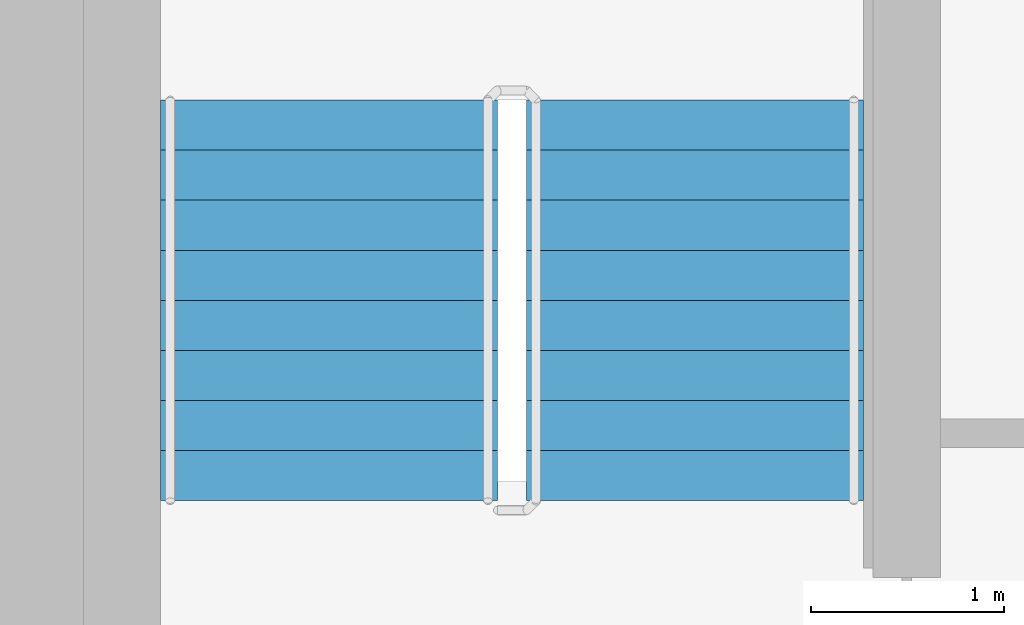
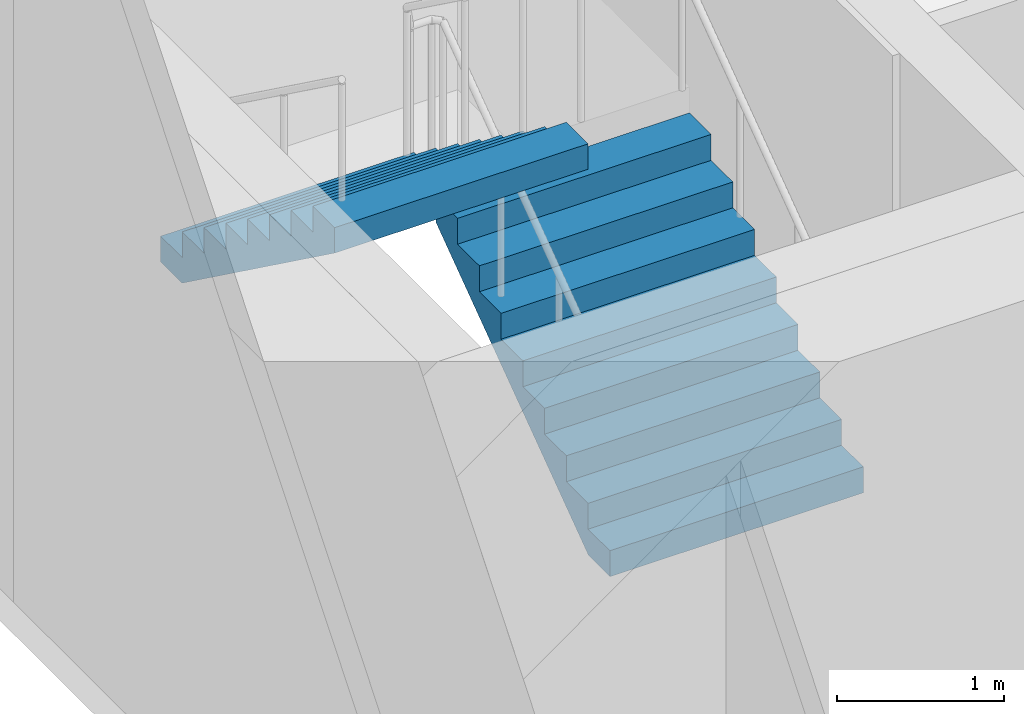
# One storey, part 15 of 18: 2 stair flights, 1 element without a shape of its own.
"""IFC4 building model written with IfcOpenShell, lengths in metres."""

from ifc_helpers import new_model, si_unit, direction, frame, origin, place, context, subcontext, project, spatial, faceted_brep, material, type_object, element, aggregate, save


model = new_model("IFC4")

# Units and contexts
model_context = context("Model", 3, precision=1e-05, world=origin(), true_north=direction((0.0, 1.0)))
body_context = subcontext(model_context, "Body", "Model", "MODEL_VIEW")
ifc_project = project(units=[si_unit("LENGTHUNIT", "METRE"), si_unit("AREAUNIT", "SQUARE_METRE"), si_unit("VOLUMEUNIT", "CUBIC_METRE"), si_unit("PLANEANGLEUNIT", "RADIAN"), si_unit("MASSUNIT", "GRAM", prefix="KILO")], contexts=[model_context])

# Site, building, storey
site_placement = place(None, origin())
site = spatial("IfcSite", under=ifc_project, at=site_placement, CompositionType="ELEMENT")
building_placement = place(site_placement, origin())
building = spatial("IfcBuilding", under=site, at=building_placement, Name="Ipe Terrace Towers", CompositionType="ELEMENT")
storey_placement = place(building_placement, frame((0.0, 0.0, 177.89990234375)))
storey = spatial("IfcBuildingStorey", under=building, at=storey_placement, Name="L49", CompositionType="ELEMENT", Elevation=177.89990234375)

# Stair, stair flights
ifc_material_1 = material(Name="Concrete C30/37", Category="concrete")
stair_type = type_object("IfcStairType", Name="Protected exit stair", PredefinedType="HALF_TURN_STAIR", material=ifc_material_1)
stair_placement = place(storey_placement, origin())
stair = element("IfcStair", 1, at=stair_placement, inside=storey, type_object=stair_type, Name="L49 Exit stair T2-C1", PredefinedType="HALF_TURN_STAIR")
ifc_material_2 = material(Name="Concrete C30/37", Category="concrete")
stair_flight_type = type_object("IfcStairFlightType", Name="Exit stair flight 1750", PredefinedType="STRAIGHT", material=ifc_material_2)
stair_flight_1_placement = place(storey_placement, frame((33.22509765625, 9.699951171875, 0.0), z_axis=(0.0, 0.0, 1.0), x_axis=(0.0, 1.0, 0.0)))
stair_flight_1 = element("IfcStairFlight", 2, at=stair_flight_1_placement, type_object=stair_flight_type, Name="T2-ST1 flight 1", NumberOfRisers=9, NumberOfTreads=8, PredefinedType="STRAIGHT", RiserHeight=0.188888889, TreadLength=0.26, context=body_context, shape_type="Brep", body=[
    faceted_brep([(0.255126953125, -0.875, 0.0), (2.080078125, -0.875, 1.325927734375), (2.080078125, -0.875, 1.51123046875), (1.820068359375, -0.875, 1.51123046875), (1.820068359375, -0.875, 1.322265625), (1.56005859375, -0.875, 1.322265625), (1.56005859375, -0.875, 1.13330078125), (1.300048828125, -0.875, 1.13330078125), (1.300048828125, -0.875, 0.9443359375), (1.0400390625, -0.875, 0.9443359375), (1.0400390625, -0.875, 0.755615234375), (0.780029296875, -0.875, 0.755615234375), (0.780029296875, -0.875, 0.566650390625), (0.52001953125, -0.875, 0.566650390625), (0.52001953125, -0.875, 0.377685546875), (0.260009765625, -0.875, 0.377685546875), (0.260009765625, -0.875, 0.18896484375), (0.0, -0.875, 0.18896484375), (0.0, -0.875, 0.0), (0.0, 0.875, 0.0), (0.0, 0.875, 0.18896484375), (0.260009765625, 0.875, 0.18896484375), (0.260009765625, 0.875, 0.377685546875), (0.52001953125, 0.875, 0.377685546875), (0.52001953125, 0.875, 0.566650390625), (0.780029296875, 0.875, 0.566650390625), (0.780029296875, 0.875, 0.755615234375), (1.0400390625, 0.875, 0.755615234375), (1.0400390625, 0.875, 0.9443359375), (1.300048828125, 0.875, 0.9443359375), (1.300048828125, 0.875, 1.13330078125), (1.56005859375, 0.875, 1.13330078125), (1.56005859375, 0.875, 1.322265625), (1.820068359375, 0.875, 1.322265625), (1.820068359375, 0.875, 1.51123046875), (2.080078125, 0.875, 1.51123046875), (2.080078125, 0.875, 1.325927734375), (0.255126953125, 0.875, 0.0), (0.0, -0.300048828125, 0.18896484375), (0.0, -0.1201171875, 0.18896484375), (0.0, -0.06005859375, 0.18896484375), (0.0, -0.030029296875, 0.18896484375), (0.0, -0.010009765625, 0.18896484375), (0.0, 0.0, 0.18896484375), (0.0, 0.010009765625, 0.18896484375), (0.0, 0.030029296875, 0.18896484375), (0.0, 0.06005859375, 0.18896484375), (0.0, 0.1201171875, 0.18896484375), (0.0, 0.300048828125, 0.18896484375), (0.0, 0.300048828125, 0.0), (0.0, 0.1201171875, 0.0), (0.0, 0.06005859375, 0.0), (0.0, 0.030029296875, 0.0), (0.0, 0.010009765625, 0.0), (0.0, 0.0, 0.0), (0.0, -0.010009765625, 0.0), (0.0, -0.030029296875, 0.0), (0.0, -0.06005859375, 0.0), (0.0, -0.1201171875, 0.0), (0.0, -0.300048828125, 0.0), (0.260009765625, -0.300048828125, 0.18896484375), (0.260009765625, -0.1201171875, 0.18896484375), (0.260009765625, -0.06005859375, 0.18896484375), (0.260009765625, -0.030029296875, 0.18896484375), (0.260009765625, -0.010009765625, 0.18896484375), (0.260009765625, 0.0, 0.18896484375), (0.260009765625, 0.010009765625, 0.18896484375), (0.260009765625, 0.030029296875, 0.18896484375), (0.260009765625, 0.06005859375, 0.18896484375), (0.260009765625, 0.1201171875, 0.18896484375), (0.260009765625, 0.300048828125, 0.18896484375), (0.260009765625, -0.300048828125, 0.377685546875), (0.260009765625, -0.1201171875, 0.377685546875), (0.260009765625, -0.06005859375, 0.377685546875), (0.260009765625, -0.030029296875, 0.377685546875), (0.260009765625, -0.010009765625, 0.377685546875), (0.260009765625, 0.0, 0.377685546875), (0.260009765625, 0.010009765625, 0.377685546875), (0.260009765625, 0.030029296875, 0.377685546875), (0.260009765625, 0.06005859375, 0.377685546875), (0.260009765625, 0.1201171875, 0.377685546875), (0.260009765625, 0.300048828125, 0.377685546875), (0.52001953125, -0.300048828125, 0.377685546875), (0.52001953125, -0.1201171875, 0.377685546875), (0.52001953125, -0.06005859375, 0.377685546875), (0.52001953125, -0.030029296875, 0.377685546875), (0.52001953125, -0.010009765625, 0.377685546875), (0.52001953125, 0.0, 0.377685546875), (0.52001953125, 0.010009765625, 0.377685546875), (0.52001953125, 0.030029296875, 0.377685546875), (0.52001953125, 0.06005859375, 0.377685546875), (0.52001953125, 0.1201171875, 0.377685546875), (0.52001953125, 0.300048828125, 0.377685546875), (0.52001953125, -0.300048828125, 0.566650390625), (0.52001953125, -0.1201171875, 0.566650390625), (0.52001953125, -0.06005859375, 0.566650390625), (0.52001953125, -0.030029296875, 0.566650390625), (0.52001953125, -0.010009765625, 0.566650390625), (0.52001953125, 0.0, 0.566650390625), (0.52001953125, 0.010009765625, 0.566650390625), (0.52001953125, 0.030029296875, 0.566650390625), (0.52001953125, 0.06005859375, 0.566650390625), (0.52001953125, 0.1201171875, 0.566650390625), (0.52001953125, 0.300048828125, 0.566650390625), (0.780029296875, -0.300048828125, 0.566650390625), (0.780029296875, -0.1201171875, 0.566650390625), (0.780029296875, -0.06005859375, 0.566650390625), (0.780029296875, -0.030029296875, 0.566650390625), (0.780029296875, -0.010009765625, 0.566650390625), (0.780029296875, 0.0, 0.566650390625), (0.780029296875, 0.010009765625, 0.566650390625), (0.780029296875, 0.030029296875, 0.566650390625), (0.780029296875, 0.06005859375, 0.566650390625), (0.780029296875, 0.1201171875, 0.566650390625), (0.780029296875, 0.300048828125, 0.566650390625), (0.780029296875, -0.300048828125, 0.755615234375), (0.780029296875, -0.1201171875, 0.755615234375), (0.780029296875, -0.06005859375, 0.755615234375), (0.780029296875, -0.030029296875, 0.755615234375), (0.780029296875, -0.010009765625, 0.755615234375), (0.780029296875, 0.0, 0.755615234375), (0.780029296875, 0.010009765625, 0.755615234375), (0.780029296875, 0.030029296875, 0.755615234375), (0.780029296875, 0.06005859375, 0.755615234375), (0.780029296875, 0.1201171875, 0.755615234375), (0.780029296875, 0.300048828125, 0.755615234375), (1.0400390625, -0.300048828125, 0.755615234375), (1.0400390625, -0.1201171875, 0.755615234375), (1.0400390625, -0.06005859375, 0.755615234375), (1.0400390625, -0.030029296875, 0.755615234375), (1.0400390625, -0.010009765625, 0.755615234375), (1.0400390625, 0.0, 0.755615234375), (1.0400390625, 0.010009765625, 0.755615234375), (1.0400390625, 0.030029296875, 0.755615234375), (1.0400390625, 0.06005859375, 0.755615234375), (1.0400390625, 0.1201171875, 0.755615234375), (1.0400390625, 0.300048828125, 0.755615234375), (1.0400390625, -0.300048828125, 0.9443359375), (1.0400390625, -0.1201171875, 0.9443359375), (1.0400390625, -0.06005859375, 0.9443359375), (1.0400390625, -0.030029296875, 0.9443359375), (1.0400390625, -0.010009765625, 0.9443359375), (1.0400390625, 0.0, 0.9443359375), (1.0400390625, 0.010009765625, 0.9443359375), (1.0400390625, 0.030029296875, 0.9443359375), (1.0400390625, 0.06005859375, 0.9443359375), (1.0400390625, 0.1201171875, 0.9443359375), (1.0400390625, 0.300048828125, 0.9443359375), (1.300048828125, -0.300048828125, 0.9443359375), (1.300048828125, -0.1201171875, 0.9443359375), (1.300048828125, -0.06005859375, 0.9443359375), (1.300048828125, -0.030029296875, 0.9443359375), (1.300048828125, -0.010009765625, 0.9443359375), (1.300048828125, 0.0, 0.9443359375), (1.300048828125, 0.010009765625, 0.9443359375), (1.300048828125, 0.030029296875, 0.9443359375), (1.300048828125, 0.06005859375, 0.9443359375), (1.300048828125, 0.1201171875, 0.9443359375), (1.300048828125, 0.300048828125, 0.9443359375), (1.300048828125, -0.300048828125, 1.13330078125), (1.300048828125, -0.1201171875, 1.13330078125), (1.300048828125, -0.06005859375, 1.13330078125), (1.300048828125, -0.030029296875, 1.13330078125), (1.300048828125, -0.010009765625, 1.13330078125), (1.300048828125, 0.0, 1.13330078125), (1.300048828125, 0.010009765625, 1.13330078125), (1.300048828125, 0.030029296875, 1.13330078125), (1.300048828125, 0.06005859375, 1.13330078125), (1.300048828125, 0.1201171875, 1.13330078125), (1.300048828125, 0.300048828125, 1.13330078125), (1.56005859375, -0.300048828125, 1.13330078125), (1.56005859375, -0.1201171875, 1.13330078125), (1.56005859375, -0.06005859375, 1.13330078125), (1.56005859375, -0.030029296875, 1.13330078125), (1.56005859375, -0.010009765625, 1.13330078125), (1.56005859375, 0.0, 1.13330078125), (1.56005859375, 0.010009765625, 1.13330078125), (1.56005859375, 0.030029296875, 1.13330078125), (1.56005859375, 0.06005859375, 1.13330078125), (1.56005859375, 0.1201171875, 1.13330078125), (1.56005859375, 0.300048828125, 1.13330078125), (1.56005859375, -0.300048828125, 1.322265625), (1.56005859375, -0.1201171875, 1.322265625), (1.56005859375, -0.06005859375, 1.322265625), (1.56005859375, -0.030029296875, 1.322265625), (1.56005859375, -0.010009765625, 1.322265625), (1.56005859375, 0.0, 1.322265625), (1.56005859375, 0.010009765625, 1.322265625), (1.56005859375, 0.030029296875, 1.322265625), (1.56005859375, 0.06005859375, 1.322265625), (1.56005859375, 0.1201171875, 1.322265625), (1.56005859375, 0.300048828125, 1.322265625), (1.820068359375, -0.300048828125, 1.322265625), (1.820068359375, -0.1201171875, 1.322265625), (1.820068359375, -0.06005859375, 1.322265625), (1.820068359375, -0.030029296875, 1.322265625), (1.820068359375, -0.010009765625, 1.322265625), (1.820068359375, 0.0, 1.322265625), (1.820068359375, 0.010009765625, 1.322265625), (1.820068359375, 0.030029296875, 1.322265625), (1.820068359375, 0.06005859375, 1.322265625), (1.820068359375, 0.1201171875, 1.322265625), (1.820068359375, 0.300048828125, 1.322265625), (1.820068359375, -0.300048828125, 1.51123046875), (1.820068359375, -0.1201171875, 1.51123046875), (1.820068359375, -0.06005859375, 1.51123046875), (1.820068359375, -0.030029296875, 1.51123046875), (1.820068359375, -0.010009765625, 1.51123046875), (1.820068359375, 0.0, 1.51123046875), (1.820068359375, 0.010009765625, 1.51123046875), (1.820068359375, 0.030029296875, 1.51123046875), (1.820068359375, 0.06005859375, 1.51123046875), (1.820068359375, 0.1201171875, 1.51123046875), (1.820068359375, 0.300048828125, 1.51123046875), (2.080078125, -0.300048828125, 1.51123046875), (2.080078125, -0.1201171875, 1.51123046875), (2.080078125, -0.06005859375, 1.51123046875), (2.080078125, -0.030029296875, 1.51123046875), (2.080078125, -0.010009765625, 1.51123046875), (2.080078125, 0.0, 1.51123046875), (2.080078125, 0.010009765625, 1.51123046875), (2.080078125, 0.030029296875, 1.51123046875), (2.080078125, 0.06005859375, 1.51123046875), (2.080078125, 0.1201171875, 1.51123046875), (2.080078125, 0.300048828125, 1.51123046875), (2.080078125, -0.300048828125, 1.325927734375), (2.080078125, -0.1201171875, 1.325927734375), (2.080078125, -0.06005859375, 1.325927734375), (2.080078125, -0.030029296875, 1.325927734375), (2.080078125, -0.010009765625, 1.325927734375), (2.080078125, 0.0, 1.325927734375), (2.080078125, 0.010009765625, 1.325927734375), (2.080078125, 0.030029296875, 1.325927734375), (2.080078125, 0.06005859375, 1.325927734375), (2.080078125, 0.1201171875, 1.325927734375), (2.080078125, 0.300048828125, 1.325927734375), (0.255126953125, -0.300048828125, 0.0), (0.255126953125, -0.1201171875, 0.0), (0.255126953125, -0.06005859375, 0.0), (0.255126953125, -0.030029296875, 0.0), (0.255126953125, -0.010009765625, 0.0), (0.255126953125, 0.0, 0.0), (0.255126953125, 0.010009765625, 0.0), (0.255126953125, 0.030029296875, 0.0), (0.255126953125, 0.06005859375, 0.0), (0.255126953125, 0.1201171875, 0.0), (0.255126953125, 0.300048828125, 0.0)], [[[0, 1, 2, 3, 4, 5, 6, 7, 8, 9, 10, 11, 12, 13, 14, 15, 16, 17, 18]], [[19, 20, 21, 22, 23, 24, 25, 26, 27, 28, 29, 30, 31, 32, 33, 34, 35, 36, 37]], [[17, 38, 39, 40, 41, 42, 43, 44, 45, 46, 47, 48, 20, 19, 49, 50, 51, 52, 53, 54, 55, 56, 57, 58, 59, 18]], [[16, 60, 61, 62, 63, 64, 65, 66, 67, 68, 69, 70, 21, 20, 48, 47, 46, 45, 44, 43, 42, 41, 40, 39, 38, 17]], [[15, 71, 72, 73, 74, 75, 76, 77, 78, 79, 80, 81, 22, 21, 70, 69, 68, 67, 66, 65, 64, 63, 62, 61, 60, 16]], [[14, 82, 83, 84, 85, 86, 87, 88, 89, 90, 91, 92, 23, 22, 81, 80, 79, 78, 77, 76, 75, 74, 73, 72, 71, 15]], [[13, 93, 94, 95, 96, 97, 98, 99, 100, 101, 102, 103, 24, 23, 92, 91, 90, 89, 88, 87, 86, 85, 84, 83, 82, 14]], [[12, 104, 105, 106, 107, 108, 109, 110, 111, 112, 113, 114, 25, 24, 103, 102, 101, 100, 99, 98, 97, 96, 95, 94, 93, 13]], [[11, 115, 116, 117, 118, 119, 120, 121, 122, 123, 124, 125, 26, 25, 114, 113, 112, 111, 110, 109, 108, 107, 106, 105, 104, 12]], [[10, 126, 127, 128, 129, 130, 131, 132, 133, 134, 135, 136, 27, 26, 125, 124, 123, 122, 121, 120, 119, 118, 117, 116, 115, 11]], [[9, 137, 138, 139, 140, 141, 142, 143, 144, 145, 146, 147, 28, 27, 136, 135, 134, 133, 132, 131, 130, 129, 128, 127, 126, 10]], [[8, 148, 149, 150, 151, 152, 153, 154, 155, 156, 157, 158, 29, 28, 147, 146, 145, 144, 143, 142, 141, 140, 139, 138, 137, 9]], [[7, 159, 160, 161, 162, 163, 164, 165, 166, 167, 168, 169, 30, 29, 158, 157, 156, 155, 154, 153, 152, 151, 150, 149, 148, 8]], [[6, 170, 171, 172, 173, 174, 175, 176, 177, 178, 179, 180, 31, 30, 169, 168, 167, 166, 165, 164, 163, 162, 161, 160, 159, 7]], [[5, 181, 182, 183, 184, 185, 186, 187, 188, 189, 190, 191, 32, 31, 180, 179, 178, 177, 176, 175, 174, 173, 172, 171, 170, 6]], [[4, 192, 193, 194, 195, 196, 197, 198, 199, 200, 201, 202, 33, 32, 191, 190, 189, 188, 187, 186, 185, 184, 183, 182, 181, 5]], [[3, 203, 204, 205, 206, 207, 208, 209, 210, 211, 212, 213, 34, 33, 202, 201, 200, 199, 198, 197, 196, 195, 194, 193, 192, 4]], [[2, 214, 215, 216, 217, 218, 219, 220, 221, 222, 223, 224, 35, 34, 213, 212, 211, 210, 209, 208, 207, 206, 205, 204, 203, 3]], [[1, 225, 226, 227, 228, 229, 230, 231, 232, 233, 234, 235, 36, 35, 224, 223, 222, 221, 220, 219, 218, 217, 216, 215, 214, 2]], [[0, 236, 237, 238, 239, 240, 241, 242, 243, 244, 245, 246, 37, 36, 235, 234, 233, 232, 231, 230, 229, 228, 227, 226, 225, 1]], [[18, 59, 58, 57, 56, 55, 54, 53, 52, 51, 50, 49, 19, 37, 246, 245, 244, 243, 242, 241, 240, 239, 238, 237, 236, 0]]]),
])
stair_flight_2_placement = place(storey_placement, frame((31.324951171875, 11.780029296875, 1.7001953125), z_axis=(0.0, 0.0, 1.0), x_axis=(0.0, -1.0, 0.0)))
stair_flight_2 = element("IfcStairFlight", 3, at=stair_flight_2_placement, type_object=stair_flight_type, Name="T2-ST1 flight 2", NumberOfRisers=9, NumberOfTreads=8, PredefinedType="STRAIGHT", RiserHeight=0.188888889, TreadLength=0.26, context=body_context, shape_type="Brep", body=[
    faceted_brep([(0.255126953125, -0.875, 0.0), (2.080078125, -0.875, 1.325927734375), (2.080078125, -0.875, 1.51123046875), (1.820068359375, -0.875, 1.51123046875), (1.820068359375, -0.875, 1.322265625), (1.56005859375, -0.875, 1.322265625), (1.56005859375, -0.875, 1.13330078125), (1.300048828125, -0.875, 1.13330078125), (1.300048828125, -0.875, 0.9443359375), (1.0400390625, -0.875, 0.9443359375), (1.0400390625, -0.875, 0.755615234375), (0.780029296875, -0.875, 0.755615234375), (0.780029296875, -0.875, 0.566650390625), (0.52001953125, -0.875, 0.566650390625), (0.52001953125, -0.875, 0.377685546875), (0.260009765625, -0.875, 0.377685546875), (0.260009765625, -0.875, 0.18896484375), (0.0, -0.875, 0.18896484375), (0.0, -0.875, 0.0), (0.0, 0.875, 0.0), (0.0, 0.875, 0.18896484375), (0.260009765625, 0.875, 0.18896484375), (0.260009765625, 0.875, 0.377685546875), (0.52001953125, 0.875, 0.377685546875), (0.52001953125, 0.875, 0.566650390625), (0.780029296875, 0.875, 0.566650390625), (0.780029296875, 0.875, 0.755615234375), (1.0400390625, 0.875, 0.755615234375), (1.0400390625, 0.875, 0.9443359375), (1.300048828125, 0.875, 0.9443359375), (1.300048828125, 0.875, 1.13330078125), (1.56005859375, 0.875, 1.13330078125), (1.56005859375, 0.875, 1.322265625), (1.820068359375, 0.875, 1.322265625), (1.820068359375, 0.875, 1.51123046875), (2.080078125, 0.875, 1.51123046875), (2.080078125, 0.875, 1.325927734375), (0.255126953125, 0.875, 0.0), (0.0, -0.300048828125, 0.18896484375), (0.0, -0.1201171875, 0.18896484375), (0.0, -0.06005859375, 0.18896484375), (0.0, -0.030029296875, 0.18896484375), (0.0, -0.010009765625, 0.18896484375), (0.0, 0.0, 0.18896484375), (0.0, 0.010009765625, 0.18896484375), (0.0, 0.030029296875, 0.18896484375), (0.0, 0.06005859375, 0.18896484375), (0.0, 0.1201171875, 0.18896484375), (0.0, 0.300048828125, 0.18896484375), (0.0, 0.300048828125, 0.0), (0.0, 0.1201171875, 0.0), (0.0, 0.06005859375, 0.0), (0.0, 0.030029296875, 0.0), (0.0, 0.010009765625, 0.0), (0.0, 0.0, 0.0), (0.0, -0.010009765625, 0.0), (0.0, -0.030029296875, 0.0), (0.0, -0.06005859375, 0.0), (0.0, -0.1201171875, 0.0), (0.0, -0.300048828125, 0.0), (0.260009765625, -0.300048828125, 0.18896484375), (0.260009765625, -0.1201171875, 0.18896484375), (0.260009765625, -0.06005859375, 0.18896484375), (0.260009765625, -0.030029296875, 0.18896484375), (0.260009765625, -0.010009765625, 0.18896484375), (0.260009765625, 0.0, 0.18896484375), (0.260009765625, 0.010009765625, 0.18896484375), (0.260009765625, 0.030029296875, 0.18896484375), (0.260009765625, 0.06005859375, 0.18896484375), (0.260009765625, 0.1201171875, 0.18896484375), (0.260009765625, 0.300048828125, 0.18896484375), (0.260009765625, -0.300048828125, 0.377685546875), (0.260009765625, -0.1201171875, 0.377685546875), (0.260009765625, -0.06005859375, 0.377685546875), (0.260009765625, -0.030029296875, 0.377685546875), (0.260009765625, -0.010009765625, 0.377685546875), (0.260009765625, 0.0, 0.377685546875), (0.260009765625, 0.010009765625, 0.377685546875), (0.260009765625, 0.030029296875, 0.377685546875), (0.260009765625, 0.06005859375, 0.377685546875), (0.260009765625, 0.1201171875, 0.377685546875), (0.260009765625, 0.300048828125, 0.377685546875), (0.52001953125, -0.300048828125, 0.377685546875), (0.52001953125, -0.1201171875, 0.377685546875), (0.52001953125, -0.06005859375, 0.377685546875), (0.52001953125, -0.030029296875, 0.377685546875), (0.52001953125, -0.010009765625, 0.377685546875), (0.52001953125, 0.0, 0.377685546875), (0.52001953125, 0.010009765625, 0.377685546875), (0.52001953125, 0.030029296875, 0.377685546875), (0.52001953125, 0.06005859375, 0.377685546875), (0.52001953125, 0.1201171875, 0.377685546875), (0.52001953125, 0.300048828125, 0.377685546875), (0.52001953125, -0.300048828125, 0.566650390625), (0.52001953125, -0.1201171875, 0.566650390625), (0.52001953125, -0.06005859375, 0.566650390625), (0.52001953125, -0.030029296875, 0.566650390625), (0.52001953125, -0.010009765625, 0.566650390625), (0.52001953125, 0.0, 0.566650390625), (0.52001953125, 0.010009765625, 0.566650390625), (0.52001953125, 0.030029296875, 0.566650390625), (0.52001953125, 0.06005859375, 0.566650390625), (0.52001953125, 0.1201171875, 0.566650390625), (0.52001953125, 0.300048828125, 0.566650390625), (0.780029296875, -0.300048828125, 0.566650390625), (0.780029296875, -0.1201171875, 0.566650390625), (0.780029296875, -0.06005859375, 0.566650390625), (0.780029296875, -0.030029296875, 0.566650390625), (0.780029296875, -0.010009765625, 0.566650390625), (0.780029296875, 0.0, 0.566650390625), (0.780029296875, 0.010009765625, 0.566650390625), (0.780029296875, 0.030029296875, 0.566650390625), (0.780029296875, 0.06005859375, 0.566650390625), (0.780029296875, 0.1201171875, 0.566650390625), (0.780029296875, 0.300048828125, 0.566650390625), (0.780029296875, -0.300048828125, 0.755615234375), (0.780029296875, -0.1201171875, 0.755615234375), (0.780029296875, -0.06005859375, 0.755615234375), (0.780029296875, -0.030029296875, 0.755615234375), (0.780029296875, -0.010009765625, 0.755615234375), (0.780029296875, 0.0, 0.755615234375), (0.780029296875, 0.010009765625, 0.755615234375), (0.780029296875, 0.030029296875, 0.755615234375), (0.780029296875, 0.06005859375, 0.755615234375), (0.780029296875, 0.1201171875, 0.755615234375), (0.780029296875, 0.300048828125, 0.755615234375), (1.0400390625, -0.300048828125, 0.755615234375), (1.0400390625, -0.1201171875, 0.755615234375), (1.0400390625, -0.06005859375, 0.755615234375), (1.0400390625, -0.030029296875, 0.755615234375), (1.0400390625, -0.010009765625, 0.755615234375), (1.0400390625, 0.0, 0.755615234375), (1.0400390625, 0.010009765625, 0.755615234375), (1.0400390625, 0.030029296875, 0.755615234375), (1.0400390625, 0.06005859375, 0.755615234375), (1.0400390625, 0.1201171875, 0.755615234375), (1.0400390625, 0.300048828125, 0.755615234375), (1.0400390625, -0.300048828125, 0.9443359375), (1.0400390625, -0.1201171875, 0.9443359375), (1.0400390625, -0.06005859375, 0.9443359375), (1.0400390625, -0.030029296875, 0.9443359375), (1.0400390625, -0.010009765625, 0.9443359375), (1.0400390625, 0.0, 0.9443359375), (1.0400390625, 0.010009765625, 0.9443359375), (1.0400390625, 0.030029296875, 0.9443359375), (1.0400390625, 0.06005859375, 0.9443359375), (1.0400390625, 0.1201171875, 0.9443359375), (1.0400390625, 0.300048828125, 0.9443359375), (1.300048828125, -0.300048828125, 0.9443359375), (1.300048828125, -0.1201171875, 0.9443359375), (1.300048828125, -0.06005859375, 0.9443359375), (1.300048828125, -0.030029296875, 0.9443359375), (1.300048828125, -0.010009765625, 0.9443359375), (1.300048828125, 0.0, 0.9443359375), (1.300048828125, 0.010009765625, 0.9443359375), (1.300048828125, 0.030029296875, 0.9443359375), (1.300048828125, 0.06005859375, 0.9443359375), (1.300048828125, 0.1201171875, 0.9443359375), (1.300048828125, 0.300048828125, 0.9443359375), (1.300048828125, -0.300048828125, 1.13330078125), (1.300048828125, -0.1201171875, 1.13330078125), (1.300048828125, -0.06005859375, 1.13330078125), (1.300048828125, -0.030029296875, 1.13330078125), (1.300048828125, -0.010009765625, 1.13330078125), (1.300048828125, 0.0, 1.13330078125), (1.300048828125, 0.010009765625, 1.13330078125), (1.300048828125, 0.030029296875, 1.13330078125), (1.300048828125, 0.06005859375, 1.13330078125), (1.300048828125, 0.1201171875, 1.13330078125), (1.300048828125, 0.300048828125, 1.13330078125), (1.56005859375, -0.300048828125, 1.13330078125), (1.56005859375, -0.1201171875, 1.13330078125), (1.56005859375, -0.06005859375, 1.13330078125), (1.56005859375, -0.030029296875, 1.13330078125), (1.56005859375, -0.010009765625, 1.13330078125), (1.56005859375, 0.0, 1.13330078125), (1.56005859375, 0.010009765625, 1.13330078125), (1.56005859375, 0.030029296875, 1.13330078125), (1.56005859375, 0.06005859375, 1.13330078125), (1.56005859375, 0.1201171875, 1.13330078125), (1.56005859375, 0.300048828125, 1.13330078125), (1.56005859375, -0.300048828125, 1.322265625), (1.56005859375, -0.1201171875, 1.322265625), (1.56005859375, -0.06005859375, 1.322265625), (1.56005859375, -0.030029296875, 1.322265625), (1.56005859375, -0.010009765625, 1.322265625), (1.56005859375, 0.0, 1.322265625), (1.56005859375, 0.010009765625, 1.322265625), (1.56005859375, 0.030029296875, 1.322265625), (1.56005859375, 0.06005859375, 1.322265625), (1.56005859375, 0.1201171875, 1.322265625), (1.56005859375, 0.300048828125, 1.322265625), (1.820068359375, -0.300048828125, 1.322265625), (1.820068359375, -0.1201171875, 1.322265625), (1.820068359375, -0.06005859375, 1.322265625), (1.820068359375, -0.030029296875, 1.322265625), (1.820068359375, -0.010009765625, 1.322265625), (1.820068359375, 0.0, 1.322265625), (1.820068359375, 0.010009765625, 1.322265625), (1.820068359375, 0.030029296875, 1.322265625), (1.820068359375, 0.06005859375, 1.322265625), (1.820068359375, 0.1201171875, 1.322265625), (1.820068359375, 0.300048828125, 1.322265625), (1.820068359375, -0.300048828125, 1.51123046875), (1.820068359375, -0.1201171875, 1.51123046875), (1.820068359375, -0.06005859375, 1.51123046875), (1.820068359375, -0.030029296875, 1.51123046875), (1.820068359375, -0.010009765625, 1.51123046875), (1.820068359375, 0.0, 1.51123046875), (1.820068359375, 0.010009765625, 1.51123046875), (1.820068359375, 0.030029296875, 1.51123046875), (1.820068359375, 0.06005859375, 1.51123046875), (1.820068359375, 0.1201171875, 1.51123046875), (1.820068359375, 0.300048828125, 1.51123046875), (2.080078125, -0.300048828125, 1.51123046875), (2.080078125, -0.1201171875, 1.51123046875), (2.080078125, -0.06005859375, 1.51123046875), (2.080078125, -0.030029296875, 1.51123046875), (2.080078125, -0.010009765625, 1.51123046875), (2.080078125, 0.0, 1.51123046875), (2.080078125, 0.010009765625, 1.51123046875), (2.080078125, 0.030029296875, 1.51123046875), (2.080078125, 0.06005859375, 1.51123046875), (2.080078125, 0.1201171875, 1.51123046875), (2.080078125, 0.300048828125, 1.51123046875), (2.080078125, -0.300048828125, 1.325927734375), (2.080078125, -0.1201171875, 1.325927734375), (2.080078125, -0.06005859375, 1.325927734375), (2.080078125, -0.030029296875, 1.325927734375), (2.080078125, -0.010009765625, 1.325927734375), (2.080078125, 0.0, 1.325927734375), (2.080078125, 0.010009765625, 1.325927734375), (2.080078125, 0.030029296875, 1.325927734375), (2.080078125, 0.06005859375, 1.325927734375), (2.080078125, 0.1201171875, 1.325927734375), (2.080078125, 0.300048828125, 1.325927734375), (0.255126953125, -0.300048828125, 0.0), (0.255126953125, -0.1201171875, 0.0), (0.255126953125, -0.06005859375, 0.0), (0.255126953125, -0.030029296875, 0.0), (0.255126953125, -0.010009765625, 0.0), (0.255126953125, 0.0, 0.0), (0.255126953125, 0.010009765625, 0.0), (0.255126953125, 0.030029296875, 0.0), (0.255126953125, 0.06005859375, 0.0), (0.255126953125, 0.1201171875, 0.0), (0.255126953125, 0.300048828125, 0.0)], [[[0, 1, 2, 3, 4, 5, 6, 7, 8, 9, 10, 11, 12, 13, 14, 15, 16, 17, 18]], [[19, 20, 21, 22, 23, 24, 25, 26, 27, 28, 29, 30, 31, 32, 33, 34, 35, 36, 37]], [[17, 38, 39, 40, 41, 42, 43, 44, 45, 46, 47, 48, 20, 19, 49, 50, 51, 52, 53, 54, 55, 56, 57, 58, 59, 18]], [[16, 60, 61, 62, 63, 64, 65, 66, 67, 68, 69, 70, 21, 20, 48, 47, 46, 45, 44, 43, 42, 41, 40, 39, 38, 17]], [[15, 71, 72, 73, 74, 75, 76, 77, 78, 79, 80, 81, 22, 21, 70, 69, 68, 67, 66, 65, 64, 63, 62, 61, 60, 16]], [[14, 82, 83, 84, 85, 86, 87, 88, 89, 90, 91, 92, 23, 22, 81, 80, 79, 78, 77, 76, 75, 74, 73, 72, 71, 15]], [[13, 93, 94, 95, 96, 97, 98, 99, 100, 101, 102, 103, 24, 23, 92, 91, 90, 89, 88, 87, 86, 85, 84, 83, 82, 14]], [[12, 104, 105, 106, 107, 108, 109, 110, 111, 112, 113, 114, 25, 24, 103, 102, 101, 100, 99, 98, 97, 96, 95, 94, 93, 13]], [[11, 115, 116, 117, 118, 119, 120, 121, 122, 123, 124, 125, 26, 25, 114, 113, 112, 111, 110, 109, 108, 107, 106, 105, 104, 12]], [[10, 126, 127, 128, 129, 130, 131, 132, 133, 134, 135, 136, 27, 26, 125, 124, 123, 122, 121, 120, 119, 118, 117, 116, 115, 11]], [[9, 137, 138, 139, 140, 141, 142, 143, 144, 145, 146, 147, 28, 27, 136, 135, 134, 133, 132, 131, 130, 129, 128, 127, 126, 10]], [[8, 148, 149, 150, 151, 152, 153, 154, 155, 156, 157, 158, 29, 28, 147, 146, 145, 144, 143, 142, 141, 140, 139, 138, 137, 9]], [[7, 159, 160, 161, 162, 163, 164, 165, 166, 167, 168, 169, 30, 29, 158, 157, 156, 155, 154, 153, 152, 151, 150, 149, 148, 8]], [[6, 170, 171, 172, 173, 174, 175, 176, 177, 178, 179, 180, 31, 30, 169, 168, 167, 166, 165, 164, 163, 162, 161, 160, 159, 7]], [[5, 181, 182, 183, 184, 185, 186, 187, 188, 189, 190, 191, 32, 31, 180, 179, 178, 177, 176, 175, 174, 173, 172, 171, 170, 6]], [[4, 192, 193, 194, 195, 196, 197, 198, 199, 200, 201, 202, 33, 32, 191, 190, 189, 188, 187, 186, 185, 184, 183, 182, 181, 5]], [[3, 203, 204, 205, 206, 207, 208, 209, 210, 211, 212, 213, 34, 33, 202, 201, 200, 199, 198, 197, 196, 195, 194, 193, 192, 4]], [[2, 214, 215, 216, 217, 218, 219, 220, 221, 222, 223, 224, 35, 34, 213, 212, 211, 210, 209, 208, 207, 206, 205, 204, 203, 3]], [[1, 225, 226, 227, 228, 229, 230, 231, 232, 233, 234, 235, 36, 35, 224, 223, 222, 221, 220, 219, 218, 217, 216, 215, 214, 2]], [[0, 236, 237, 238, 239, 240, 241, 242, 243, 244, 245, 246, 37, 36, 235, 234, 233, 232, 231, 230, 229, 228, 227, 226, 225, 1]], [[18, 59, 58, 57, 56, 55, 54, 53, 52, 51, 50, 49, 19, 37, 246, 245, 244, 243, 242, 241, 240, 239, 238, 237, 236, 0]]]),
])
aggregate(stair, [stair_flight_1, stair_flight_2])

save(model, "model.ifc")
